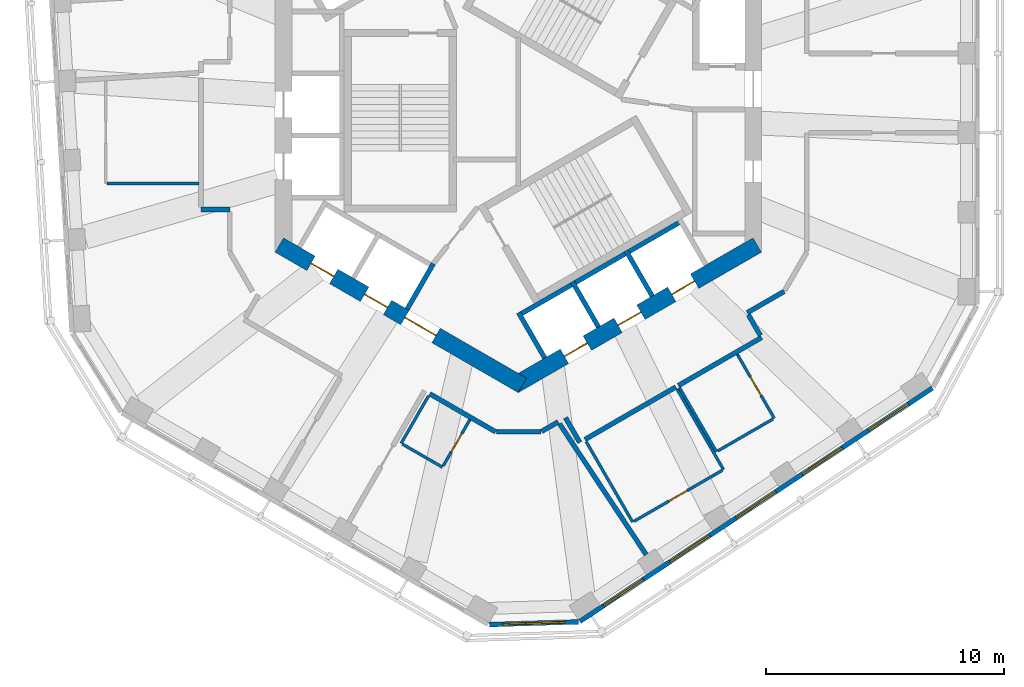
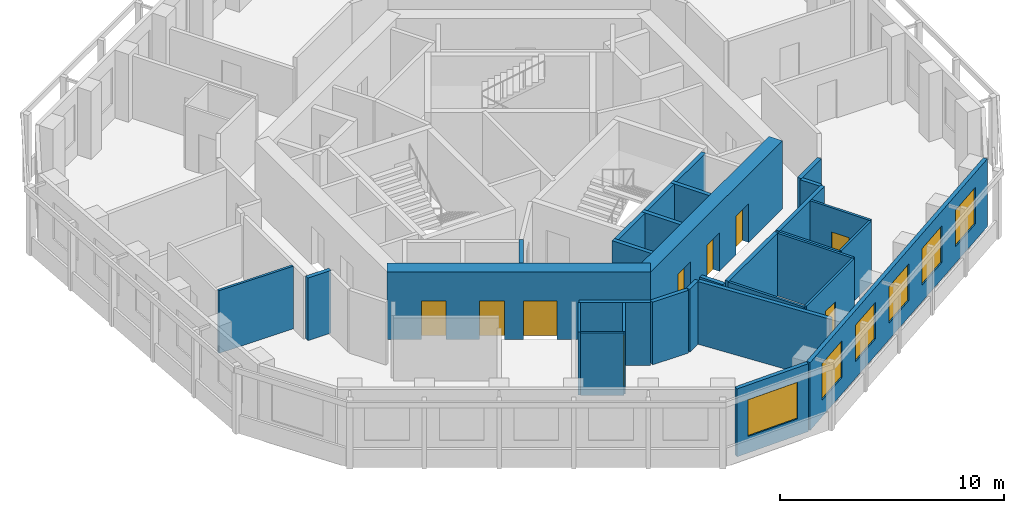
# One storey, part 4 of 10: 29 walls, 9 doors, 6 windows, 15 openings.
"""IFC4 building model written with IfcOpenShell, lengths in metres."""

from ifc_helpers import new_model, si_unit, direction, frame, frame_2d, origin, place, context, subcontext, project, spatial, rectangle, extrude, material, layer, layer_set, type_object, element, fill, save


model = new_model("IFC4")

# Units and contexts
model_context = context("Model", 3, precision=1e-05, world=origin(), true_north=direction((0.0, 1.0)))
body_context = subcontext(model_context, "Body", "Model", "MODEL_VIEW")
ifc_project = project(units=[si_unit("LENGTHUNIT", "METRE"), si_unit("AREAUNIT", "SQUARE_METRE"), si_unit("VOLUMEUNIT", "CUBIC_METRE"), si_unit("PLANEANGLEUNIT", "RADIAN"), si_unit("MASSUNIT", "GRAM", prefix="KILO")], contexts=[model_context])

# Site, building, storey
site_placement = place(None, origin())
site = spatial("IfcSite", under=ifc_project, at=site_placement, CompositionType="ELEMENT")
building_placement = place(site_placement, origin())
building = spatial("IfcBuilding", under=site, at=building_placement, Name="Vanh Sen Convention Tower", CompositionType="ELEMENT")
storey_placement = place(building_placement, frame((0.0, 0.0, 263.5)))
storey = spatial("IfcBuildingStorey", under=building, at=storey_placement, Name="L65", CompositionType="ELEMENT", Elevation=263.5)

# Walls
ifc_material_1 = material(Name="Moisture-resistant gypsum board on steel studs", Category="steel")
ifc_layer_1 = layer(ifc_material_1, 0.1201171875)
ifc_layer_set_1 = layer_set([ifc_layer_1], Name="Moisture-resistant gypsum board on steel studs")
wall_type_1 = type_object("IfcWallType", Name="Bathroom partition 120", PredefinedType="PARTITIONING", material=ifc_layer_set_1)
wall_1_placement = place(storey_placement, frame((-13.40087890625, -3.0107421875, 0.0), z_axis=(0.0, 0.0, 1.0), x_axis=(-1.0, 0.0, 0.0)))
element("IfcWall", 1, at=wall_1_placement, inside=storey, type_object=wall_type_1, Name="Bathroom partition 120", PredefinedType="PARTITIONING", context=body_context, shape_type="SweptSolid", body=[
    extrude(rectangle(XDim=3.840087890625, YDim=0.1201171875, at=frame_2d((1.919921875, 0.0))), origin(), (0.0, 0.0, 1.0), 3.419921875),
])
wall_2_placement = place(storey_placement, frame((-4.913330078125, -13.906494140625, 0.0), z_axis=(0.0, 0.0, 1.0), x_axis=(0.500031774688, 0.866007057882, 0.0)))
element("IfcWall", 2, at=wall_2_placement, inside=storey, type_object=wall_type_1, Name="Bathroom partition 120", PredefinedType="PARTITIONING", context=body_context, shape_type="SweptSolid", body=[
    extrude(rectangle(XDim=2.300048828125, YDim=0.1201171875, at=frame_2d((1.14990234375, 0.0))), origin(), (0.0, 0.0, 1.0), 3.419921875),
])
wall_3_placement = place(storey_placement, frame((-3.18115234375, -14.906494140625, 0.0), z_axis=(0.0, 0.0, 1.0), x_axis=(-0.866043088465, 0.499969367985, 0.0)))
element("IfcWall", 3, at=wall_3_placement, inside=storey, type_object=wall_type_1, Name="Bathroom partition 120", PredefinedType="PARTITIONING", context=body_context, shape_type="SweptSolid", body=[
    extrude(rectangle(XDim=1.93994140625, YDim=0.1201171875, at=frame_2d((0.969970703125, 0.0))), origin(), (0.0, 0.0, 1.0), 3.419921875),
])

# Wall, opening, door
wall_4_placement = place(storey_placement, frame((-2.03125, -12.91455078125, 0.0), z_axis=(0.0, 0.0, 1.0), x_axis=(-0.49994888933, -0.866054910533, 0.0)))
wall_4 = element("IfcWall", 4, at=wall_4_placement, inside=storey, type_object=wall_type_1, Name="Bathroom partition 120", PredefinedType="PARTITIONING", context=body_context, shape_type="SweptSolid", body=[
    extrude(rectangle(XDim=2.239990234375, YDim=0.1201171875, at=frame_2d((1.1201171875, 0.0))), origin(), (0.0, 0.0, 1.0), 3.419921875),
])
opening_1_placement = place(wall_4_placement, frame((0.669921875, 0.0, 0.0)))
opening_1 = element("IfcOpeningElement", 5, at=opening_1_placement, cuts=wall_4, Name="Opening D64113", PredefinedType="OPENING", context=body_context, shape_type="SweptSolid", body=[
    extrude(rectangle(XDim=0.89990234375, YDim=2.10009765625, at=frame_2d((0.449951171875, 1.050048828125))), frame((0.0, 0.070068359375, 0.0), z_axis=(0.0, -1.0, 0.0), x_axis=(1.0, 0.0, 0.0)), (0.0, 0.0, 1.0), 0.14013671875),
])
ifc_material_2 = material(Name="Laminate door in steel frame", Category="steel")
door_type_1 = type_object("IfcDoorType", Name="Room internal door 900", OperationType="SINGLE_SWING_LEFT", PredefinedType="DOOR", material=ifc_material_2)
door_1_placement = place(opening_1_placement, origin())
door_1 = element("IfcDoor", 6, at=door_1_placement, inside=storey, type_object=door_type_1, Name="Internal room door D64113", OperationType="SINGLE_SWING_LEFT", OverallHeight=2.10009765625, OverallWidth=0.89990234375, PredefinedType="DOOR", context=body_context, shape_type="SweptSolid", body=[
    extrude(rectangle(XDim=0.89990234375, YDim=2.10009765625, at=frame_2d((0.449951171875, 1.050048828125))), frame((0.0, 0.02490234375, 0.0), z_axis=(0.0, -1.0, 0.0), x_axis=(1.0, 0.0, 0.0)), (0.0, 0.0, 1.0), 0.050048828125),
])
fill(opening_1, door_1)

# Walls
wall_5_placement = place(storey_placement, frame((4.7958984375, -17.20849609375, 0.0), z_axis=(0.0, 0.0, 1.0), x_axis=(-0.500043961785, 0.866000020948, 0.0)))
element("IfcWall", 7, at=wall_5_placement, inside=storey, type_object=wall_type_1, Name="Bathroom partition 120", PredefinedType="PARTITIONING", context=body_context, shape_type="SweptSolid", body=[
    extrude(rectangle(XDim=3.900146484375, YDim=0.1201171875, at=frame_2d((1.9501953125, 0.0))), origin(), (0.0, 0.0, 1.0), 3.419921875),
])
wall_6_placement = place(storey_placement, frame((6.65625, -11.631103515625, 0.0), z_axis=(0.0, 0.0, 1.0), x_axis=(0.499997012787, -0.866027128446, 0.0)))
element("IfcWall", 8, at=wall_6_placement, inside=storey, type_object=wall_type_1, Name="Bathroom partition 120", PredefinedType="PARTITIONING", context=body_context, shape_type="SweptSolid", body=[
    extrude(rectangle(XDim=3.89990234375, YDim=0.1201171875, at=frame_2d((1.949951171875, 0.0))), origin(), (0.0, 0.0, 1.0), 3.419921875),
])
wall_7_placement = place(storey_placement, frame((8.310302734375, -14.255859375, 0.0), z_axis=(0.0, 0.0, 1.0), x_axis=(-0.49999285859, 0.86602952684, 0.0)))
element("IfcWall", 9, at=wall_7_placement, inside=storey, type_object=wall_type_1, Name="Bathroom partition 120", PredefinedType="PARTITIONING", context=body_context, shape_type="SweptSolid", body=[
    extrude(rectangle(XDim=3.10009765625, YDim=0.1201171875, at=frame_2d((1.550048828125, 0.0))), origin(), (0.0, 0.0, 1.0), 3.419921875),
])

# Wall, opening, door
wall_8_placement = place(storey_placement, frame((8.55419921875, -15.03857421875, 0.0), z_axis=(0.0, 0.0, 1.0), x_axis=(-0.865994635417, -0.500053288589, 0.0)))
wall_8 = element("IfcWall", 10, at=wall_8_placement, inside=storey, type_object=wall_type_1, Name="Bathroom partition 120", PredefinedType="PARTITIONING", context=body_context, shape_type="SweptSolid", body=[
    extrude(rectangle(XDim=4.27978515625, YDim=0.1201171875, at=frame_2d((2.139892578125, 0.0))), origin(), (0.0, 0.0, 1.0), 3.419921875),
])
opening_2_placement = place(wall_8_placement, frame((1.68994140625, 0.0, 0.0)))
opening_2 = element("IfcOpeningElement", 11, at=opening_2_placement, cuts=wall_8, Name="Opening D64115", PredefinedType="OPENING", context=body_context, shape_type="SweptSolid", body=[
    extrude(rectangle(XDim=0.89990234375, YDim=2.10009765625, at=frame_2d((0.449951171875, 1.050048828125))), frame((0.0, 0.070068359375, 0.0), z_axis=(0.0, -1.0, 0.0), x_axis=(1.0, 0.0, 0.0)), (0.0, 0.0, 1.0), 0.14013671875),
])
door_2_placement = place(opening_2_placement, origin())
door_2 = element("IfcDoor", 12, at=door_2_placement, inside=storey, type_object=door_type_1, Name="Internal room door D64115", OperationType="SINGLE_SWING_LEFT", OverallHeight=2.10009765625, OverallWidth=0.89990234375, PredefinedType="DOOR", context=body_context, shape_type="SweptSolid", body=[
    extrude(rectangle(XDim=0.89990234375, YDim=2.10009765625, at=frame_2d((0.449951171875, 1.050048828125))), frame((0.0, 0.02490234375, 0.0), z_axis=(0.0, -1.0, 0.0), x_axis=(1.0, 0.0, 0.0)), (0.0, 0.0, 1.0), 0.050048828125),
])
fill(opening_2, door_2)

wall_9_placement = place(storey_placement, frame((9.18505859375, -10.171142578125, 0.0), z_axis=(0.0, 0.0, 1.0), x_axis=(0.500026960575, -0.86600983753, 0.0)))
wall_9 = element("IfcWall", 13, at=wall_9_placement, inside=storey, type_object=wall_type_1, Name="Bathroom partition 120", PredefinedType="PARTITIONING", context=body_context, shape_type="SweptSolid", body=[
    extrude(rectangle(XDim=3.099853515625, YDim=0.1201171875, at=frame_2d((1.5498046875, 0.0))), origin(), (0.0, 0.0, 1.0), 3.419921875),
])
opening_3_placement = place(wall_9_placement, frame((1.10009765625, 0.0, 0.0)))
opening_3 = element("IfcOpeningElement", 14, at=opening_3_placement, cuts=wall_9, Name="Opening D64116", PredefinedType="OPENING", context=body_context, shape_type="SweptSolid", body=[
    extrude(rectangle(XDim=0.89990234375, YDim=2.10009765625, at=frame_2d((0.449951171875, 1.050048828125))), frame((0.0, 0.070068359375, 0.0), z_axis=(0.0, -1.0, 0.0), x_axis=(1.0, 0.0, 0.0)), (0.0, 0.0, 1.0), 0.14013671875),
])
door_3_placement = place(opening_3_placement, origin())
door_3 = element("IfcDoor", 15, at=door_3_placement, inside=storey, type_object=door_type_1, Name="Internal room door D64116", OperationType="SINGLE_SWING_LEFT", OverallHeight=2.10009765625, OverallWidth=0.89990234375, PredefinedType="DOOR", context=body_context, shape_type="SweptSolid", body=[
    extrude(rectangle(XDim=0.89990234375, YDim=2.10009765625, at=frame_2d((0.449951171875, 1.050048828125))), frame((0.0, 0.02490234375, 0.0), z_axis=(0.0, -1.0, 0.0), x_axis=(1.0, 0.0, 0.0)), (0.0, 0.0, 1.0), 0.050048828125),
])
fill(opening_3, door_3)

# Wall
wall_10_placement = place(storey_placement, frame((10.68310546875, -12.8857421875, 0.0), z_axis=(0.0, 0.0, 1.0), x_axis=(-0.86599746015, -0.500048396672, 0.0)))
element("IfcWall", 16, at=wall_10_placement, inside=storey, type_object=wall_type_1, Name="Bathroom partition 120", PredefinedType="PARTITIONING", context=body_context, shape_type="SweptSolid", body=[
    extrude(rectangle(XDim=2.679931640625, YDim=0.1201171875, at=frame_2d((1.33984375, 0.0))), origin(), (0.0, 0.0, 1.0), 3.419921875),
])

# Wall, openings, doors
ifc_material_3 = material(Name="Concrete C60/75", Category="concrete")
ifc_layer_2 = layer(ifc_material_3, 0.699951171875)
ifc_layer_set_2 = layer_set([ifc_layer_2], Name="Concrete C60/75")
wall_type_2 = type_object("IfcWallType", Name="Core outer wall 700 C60/75", PredefinedType="SHEAR", material=ifc_layer_set_2)
wall_11_placement = place(storey_placement, frame((-10.02490234375, -5.5859375, 0.0), z_axis=(0.0, 0.0, 1.0), x_axis=(0.866026453023, -0.499998182661, 0.0)))
wall_11 = element("IfcWall", 17, at=wall_11_placement, inside=storey, type_object=wall_type_2, Name="Core wall face SW L65", PredefinedType="SHEAR", context=body_context, shape_type="SweptSolid", body=[
    extrude(rectangle(XDim=11.77783203125, YDim=0.699951171875, at=frame_2d((5.888916015625, 0.0))), origin(), (0.0, 0.0, 1.0), 3.699951171875),
])
opening_4_placement = place(wall_11_placement, frame((6.089111328125, 0.0, 0.0)))
opening_4 = element("IfcOpeningElement", 18, at=opening_4_placement, cuts=wall_11, Name="Opening D64003", PredefinedType="OPENING", context=body_context, shape_type="SweptSolid", body=[
    extrude(rectangle(XDim=1.5, YDim=2.10009765625, at=frame_2d((0.75, 1.050048828125))), frame((0.0, 0.35986328125, 0.0), z_axis=(0.0, -1.0, 0.0), x_axis=(1.0, 0.0, 0.0)), (0.0, 0.0, 1.0), 0.719970703125),
])
opening_5_placement = place(wall_11_placement, frame((1.5390625, 0.0, 0.0)))
opening_5 = element("IfcOpeningElement", 19, at=opening_5_placement, cuts=wall_11, Name="Opening LD-HR3", PredefinedType="OPENING", context=body_context, shape_type="SweptSolid", body=[
    extrude(rectangle(XDim=1.10009765625, YDim=2.10009765625, at=frame_2d((0.550048828125, 1.050048828125))), frame((0.0, 0.35986328125, 0.0), z_axis=(0.0, -1.0, 0.0), x_axis=(1.0, 0.0, 0.0)), (0.0, 0.0, 1.0), 0.719970703125),
])
opening_6_placement = place(wall_11_placement, frame((4.138916015625, 0.0, 0.0)))
opening_6 = element("IfcOpeningElement", 20, at=opening_6_placement, cuts=wall_11, Name="Opening LD-HR4", PredefinedType="OPENING", context=body_context, shape_type="SweptSolid", body=[
    extrude(rectangle(XDim=1.10009765625, YDim=2.10009765625, at=frame_2d((0.550048828125, 1.050048828125))), frame((0.0, 0.35986328125, 0.0), z_axis=(0.0, -1.0, 0.0), x_axis=(1.0, 0.0, 0.0)), (0.0, 0.0, 1.0), 0.719970703125),
])
ifc_material_4 = material(Name="Stainless steel", Category="steel")
door_type_2 = type_object("IfcDoorType", Name="Lift landing door 1100", OperationType="DOUBLE_DOOR_SLIDING", PredefinedType="DOOR", material=ifc_material_4)
door_4_placement = place(opening_5_placement, origin())
door_4 = element("IfcDoor", 21, at=door_4_placement, inside=storey, type_object=door_type_2, Name="Lift HR3 landing door LD-HR3", OperationType="DOUBLE_DOOR_SLIDING", OverallHeight=2.10009765625, OverallWidth=1.10009765625, PredefinedType="DOOR", context=body_context, shape_type="SweptSolid", body=[
    extrude(rectangle(XDim=1.10009765625, YDim=2.10009765625, at=frame_2d((0.550048828125, 1.050048828125))), frame((0.0, 0.02490234375, 0.0), z_axis=(0.0, -1.0, 0.0), x_axis=(1.0, 0.0, 0.0)), (0.0, 0.0, 1.0), 0.050048828125),
])
fill(opening_5, door_4)
door_5_placement = place(opening_6_placement, origin())
door_5 = element("IfcDoor", 22, at=door_5_placement, inside=storey, type_object=door_type_2, Name="Lift HR4 landing door LD-HR4", OperationType="DOUBLE_DOOR_SLIDING", OverallHeight=2.10009765625, OverallWidth=1.10009765625, PredefinedType="DOOR", context=body_context, shape_type="SweptSolid", body=[
    extrude(rectangle(XDim=1.10009765625, YDim=2.10009765625, at=frame_2d((0.550048828125, 1.050048828125))), frame((0.0, 0.02490234375, 0.0), z_axis=(0.0, -1.0, 0.0), x_axis=(1.0, 0.0, 0.0)), (0.0, 0.0, 1.0), 0.050048828125),
])
fill(opening_6, door_5)
ifc_material_5 = material(Name="Steel S355", Category="steel")
door_type_3 = type_object("IfcDoorType", Name="Stair lobby door 1500", OperationType="DOUBLE_DOOR_SINGLE_SWING", PredefinedType="DOOR", material=ifc_material_5)
door_6_placement = place(opening_4_placement, origin())
door_6 = element("IfcDoor", 23, at=door_6_placement, inside=storey, type_object=door_type_3, Name="Stair lobby door D64003", OperationType="DOUBLE_DOOR_SINGLE_SWING", OverallHeight=2.10009765625, OverallWidth=1.5, PredefinedType="DOOR", context=body_context, shape_type="SweptSolid", body=[
    extrude(rectangle(XDim=1.5, YDim=2.10009765625, at=frame_2d((0.75, 1.050048828125))), frame((0.0, 0.02490234375, 0.0), z_axis=(0.0, -1.0, 0.0), x_axis=(1.0, 0.0, 0.0)), (0.0, 0.0, 1.0), 0.050048828125),
])
fill(opening_4, door_6)

wall_12_placement = place(storey_placement, frame((-0.175048828125, -11.474853515625, 0.0), z_axis=(0.0, 0.0, 1.0), x_axis=(0.866026453023, 0.499998182661, 0.0)))
wall_12 = element("IfcWall", 24, at=wall_12_placement, inside=storey, type_object=wall_type_2, Name="Core wall face SE L65", PredefinedType="SHEAR", context=body_context, shape_type="SweptSolid", body=[
    extrude(rectangle(XDim=11.77783203125, YDim=0.699951171875, at=frame_2d((5.888916015625, 0.0))), origin(), (0.0, 0.0, 1.0), 3.699951171875),
])
opening_7_placement = place(wall_12_placement, frame((2.43896484375, 0.0, 0.0)))
opening_7 = element("IfcOpeningElement", 25, at=opening_7_placement, cuts=wall_12, Name="Opening LD-HR5", PredefinedType="OPENING", context=body_context, shape_type="SweptSolid", body=[
    extrude(rectangle(XDim=1.10009765625, YDim=2.10009765625, at=frame_2d((0.550048828125, 1.050048828125))), frame((0.0, 0.35986328125, 0.0), z_axis=(0.0, -1.0, 0.0), x_axis=(1.0, 0.0, 0.0)), (0.0, 0.0, 1.0), 0.719970703125),
])
opening_8_placement = place(wall_12_placement, frame((5.0390625, 0.0, 0.0)))
opening_8 = element("IfcOpeningElement", 26, at=opening_8_placement, cuts=wall_12, Name="Opening LD-HR6", PredefinedType="OPENING", context=body_context, shape_type="SweptSolid", body=[
    extrude(rectangle(XDim=1.10009765625, YDim=2.10009765625, at=frame_2d((0.550048828125, 1.050048828125))), frame((0.0, 0.35986328125, 0.0), z_axis=(0.0, -1.0, 0.0), x_axis=(1.0, 0.0, 0.0)), (0.0, 0.0, 1.0), 0.719970703125),
])
opening_9_placement = place(wall_12_placement, frame((7.638916015625, 0.0, 0.0)))
opening_9 = element("IfcOpeningElement", 27, at=opening_9_placement, cuts=wall_12, Name="Opening LD-SV1", PredefinedType="OPENING", context=body_context, shape_type="SweptSolid", body=[
    extrude(rectangle(XDim=1.10009765625, YDim=2.10009765625, at=frame_2d((0.550048828125, 1.050048828125))), frame((0.0, 0.35986328125, 0.0), z_axis=(0.0, -1.0, 0.0), x_axis=(1.0, 0.0, 0.0)), (0.0, 0.0, 1.0), 0.719970703125),
])
door_7_placement = place(opening_7_placement, origin())
door_7 = element("IfcDoor", 28, at=door_7_placement, inside=storey, type_object=door_type_2, Name="Lift HR5 landing door LD-HR5", OperationType="DOUBLE_DOOR_SLIDING", OverallHeight=2.10009765625, OverallWidth=1.10009765625, PredefinedType="DOOR", context=body_context, shape_type="SweptSolid", body=[
    extrude(rectangle(XDim=1.10009765625, YDim=2.10009765625, at=frame_2d((0.550048828125, 1.050048828125))), frame((0.0, 0.02490234375, 0.0), z_axis=(0.0, -1.0, 0.0), x_axis=(1.0, 0.0, 0.0)), (0.0, 0.0, 1.0), 0.050048828125),
])
fill(opening_7, door_7)
door_8_placement = place(opening_8_placement, origin())
door_8 = element("IfcDoor", 29, at=door_8_placement, inside=storey, type_object=door_type_2, Name="Lift HR6 landing door LD-HR6", OperationType="DOUBLE_DOOR_SLIDING", OverallHeight=2.10009765625, OverallWidth=1.10009765625, PredefinedType="DOOR", context=body_context, shape_type="SweptSolid", body=[
    extrude(rectangle(XDim=1.10009765625, YDim=2.10009765625, at=frame_2d((0.550048828125, 1.050048828125))), frame((0.0, 0.02490234375, 0.0), z_axis=(0.0, -1.0, 0.0), x_axis=(1.0, 0.0, 0.0)), (0.0, 0.0, 1.0), 0.050048828125),
])
fill(opening_8, door_8)
door_9_placement = place(opening_9_placement, origin())
door_9 = element("IfcDoor", 30, at=door_9_placement, inside=storey, type_object=door_type_2, Name="Lift SV1 landing door LD-SV1", OperationType="DOUBLE_DOOR_SLIDING", OverallHeight=2.10009765625, OverallWidth=1.10009765625, PredefinedType="DOOR", context=body_context, shape_type="SweptSolid", body=[
    extrude(rectangle(XDim=1.10009765625, YDim=2.10009765625, at=frame_2d((0.550048828125, 1.050048828125))), frame((0.0, 0.02490234375, 0.0), z_axis=(0.0, -1.0, 0.0), x_axis=(1.0, 0.0, 0.0)), (0.0, 0.0, 1.0), 0.050048828125),
])
fill(opening_9, door_9)

# Walls
ifc_material_6 = material(Name="Gypsum board on steel studs with mineral wool", Category="steel")
ifc_layer_3 = layer(ifc_material_6, 0.199951171875)
ifc_layer_set_3 = layer_set([ifc_layer_3], Name="Gypsum board on steel studs with mineral wool")
wall_type_3 = type_object("IfcWallType", Name="Corridor partition wall 200", PredefinedType="PARTITIONING", material=ifc_layer_set_3)
wall_13_placement = place(storey_placement, frame((-13.301025390625, -4.10107421875, 0.0), z_axis=(0.0, 0.0, 1.0), x_axis=(1.0, 0.0, 0.0)))
element("IfcWall", 31, at=wall_13_placement, inside=storey, type_object=wall_type_3, Name="Corridor partition wall 200", PredefinedType="PARTITIONING", context=body_context, shape_type="SweptSolid", body=[
    extrude(rectangle(XDim=1.200927734375, YDim=0.199951171875, at=frame_2d((0.6005859375, 0.0))), origin(), (0.0, 0.0, 1.0), 3.419921875),
])
wall_14_placement = place(storey_placement, frame((-3.71337890625, -11.827880859375, 0.0), z_axis=(0.0, 0.0, 1.0), x_axis=(0.866026321388, -0.499998410661, 0.0)))
element("IfcWall", 32, at=wall_14_placement, inside=storey, type_object=wall_type_3, Name="Corridor partition wall 200", PredefinedType="PARTITIONING", context=body_context, shape_type="SweptSolid", body=[
    extrude(rectangle(XDim=3.19091796875, YDim=0.199951171875, at=frame_2d((1.595458984375, 0.0))), origin(), (0.0, 0.0, 1.0), 3.419921875),
])
wall_15_placement = place(storey_placement, frame((-0.909912109375, -13.42333984375, 0.0), z_axis=(0.0, 0.0, 1.0), x_axis=(1.0, 0.0, 0.0)))
element("IfcWall", 33, at=wall_15_placement, inside=storey, type_object=wall_type_3, Name="Corridor partition wall 200", PredefinedType="PARTITIONING", context=body_context, shape_type="SweptSolid", body=[
    extrude(rectangle(XDim=1.85986328125, YDim=0.199951171875, at=frame_2d((0.929931640625, 0.0))), origin(), (0.0, 0.0, 1.0), 3.419921875),
])
wall_16_placement = place(storey_placement, frame((0.984619140625, -13.4033203125, 0.0), z_axis=(0.0, 0.0, 1.0), x_axis=(0.866032814021, 0.499987164874, 0.0)))
element("IfcWall", 34, at=wall_16_placement, inside=storey, type_object=wall_type_3, Name="Corridor partition wall 200", PredefinedType="PARTITIONING", context=body_context, shape_type="SweptSolid", body=[
    extrude(rectangle(XDim=0.79833984375, YDim=0.199951171875, at=frame_2d((0.399169921875, 0.0))), origin(), (0.0, 0.0, 1.0), 3.419921875),
])
wall_17_placement = place(storey_placement, frame((1.978759765625, -12.829345703125, 0.0), z_axis=(0.0, 0.0, 1.0), x_axis=(0.500074377092, -0.865982457891, 0.0)))
element("IfcWall", 35, at=wall_17_placement, inside=storey, type_object=wall_type_3, Name="Corridor partition wall 200", PredefinedType="PARTITIONING", context=body_context, shape_type="SweptSolid", body=[
    extrude(rectangle(XDim=1.200927734375, YDim=0.199951171875, at=frame_2d((0.6005859375, 0.0))), origin(), (0.0, 0.0, 1.0), 3.419921875),
])
wall_18_placement = place(storey_placement, frame((2.7958984375, -13.744384765625, 0.0), z_axis=(0.0, 0.0, 1.0), x_axis=(0.866018331238, 0.50001224981, 0.0)))
element("IfcWall", 36, at=wall_18_placement, inside=storey, type_object=wall_type_3, Name="Corridor partition wall 200", PredefinedType="PARTITIONING", context=body_context, shape_type="SweptSolid", body=[
    extrude(rectangle(XDim=4.39990234375, YDim=0.199951171875, at=frame_2d((2.199951171875, 0.0))), origin(), (0.0, 0.0, 1.0), 3.419921875),
])
wall_19_placement = place(storey_placement, frame((6.710205078125, -11.484619140625, 0.0), z_axis=(0.0, 0.0, 1.0), x_axis=(0.866021232452, 0.500007224889, 0.0)))
element("IfcWall", 37, at=wall_19_placement, inside=storey, type_object=wall_type_3, Name="Corridor partition wall 200", PredefinedType="PARTITIONING", context=body_context, shape_type="SweptSolid", body=[
    extrude(rectangle(XDim=4.0322265625, YDim=0.199951171875, at=frame_2d((2.01611328125, 0.0))), origin(), (0.0, 0.0, 1.0), 3.419921875),
])
wall_20_placement = place(storey_placement, frame((9.6015625, -8.428466796875, 0.0), z_axis=(0.0, 0.0, 1.0), x_axis=(0.865999114786, 0.500045531117, 0.0)))
element("IfcWall", 38, at=wall_20_placement, inside=storey, type_object=wall_type_3, Name="Corridor partition wall 200", PredefinedType="PARTITIONING", context=body_context, shape_type="SweptSolid", body=[
    extrude(rectangle(XDim=1.787841796875, YDim=0.199951171875, at=frame_2d((0.89404296875, 0.0))), origin(), (0.0, 0.0, 1.0), 3.419921875),
])
wall_21_placement = place(storey_placement, frame((10.152099609375, -9.3818359375, 0.0), z_axis=(0.0, 0.0, 1.0), x_axis=(-0.499968756647, 0.866043441391, 0.0)))
element("IfcWall", 39, at=wall_21_placement, inside=storey, type_object=wall_type_3, Name="Corridor partition wall 200", PredefinedType="PARTITIONING", context=body_context, shape_type="SweptSolid", body=[
    extrude(rectangle(XDim=1.0009765625, YDim=0.199951171875, at=frame_2d((0.50048828125, 0.0))), origin(), (0.0, 0.0, 1.0), 3.419921875),
])

# Wall, opening, window
ifc_material_7 = material(Name="Insulated lightweight infill wall")
ifc_layer_4 = layer(ifc_material_7, 0.199951171875)
ifc_layer_set_4 = layer_set([ifc_layer_4], Name="Insulated lightweight infill wall")
wall_type_4 = type_object("IfcWallType", Name="External wall 200", PredefinedType="STANDARD", material=ifc_layer_set_4)
wall_22_placement = place(storey_placement, frame((-1.21728515625, -21.508056640625, 0.0), z_axis=(0.0, 0.0, 1.0), x_axis=(0.99953295295, 0.030559384285, 0.0)))
wall_22 = element("IfcWall", 40, at=wall_22_placement, inside=storey, type_object=wall_type_4, Name="External wall CH5 L65", PredefinedType="STANDARD", context=body_context, shape_type="SweptSolid", body=[
    extrude(rectangle(XDim=3.746826171875, YDim=0.199951171875, at=frame_2d((1.87353515625, 0.0))), origin(), (0.0, 0.0, 1.0), 3.699951171875),
])
opening_10_placement = place(wall_22_placement, frame((0.573486328125, 0.0, 0.89990234375)))
opening_10 = element("IfcOpeningElement", 41, at=opening_10_placement, cuts=wall_22, Name="Opening WO6-CH51", PredefinedType="OPENING", context=body_context, shape_type="SweptSolid", body=[
    extrude(rectangle(XDim=2.60009765625, YDim=2.0, at=frame_2d((1.300048828125, 1.0))), frame((0.0, 0.10986328125, 0.0), z_axis=(0.0, -1.0, 0.0), x_axis=(1.0, 0.0, 0.0)), (0.0, 0.0, 1.0), 0.219970703125),
])
ifc_material_8 = material(Name="Aluminium frame with clear low-emissivity glass", Category="aluminium")
window_type_1 = type_object("IfcWindowType", Name="Office window 2600 x 2000", PartitioningType="SINGLE_PANEL", PredefinedType="WINDOW", material=ifc_material_8)
window_1_placement = place(opening_10_placement, origin())
window_1 = element("IfcWindow", 42, at=window_1_placement, inside=storey, type_object=window_type_1, Name="Window WO6-CH51", OverallHeight=2.0, OverallWidth=2.60009765625, PartitioningType="SINGLE_PANEL", PredefinedType="WINDOW", context=body_context, shape_type="SweptSolid", body=[
    extrude(rectangle(XDim=2.60009765625, YDim=2.0, at=frame_2d((1.300048828125, 1.0))), frame((0.0, 0.030029296875, 0.0), z_axis=(0.0, -1.0, 0.0), x_axis=(1.0, 0.0, 0.0)), (0.0, 0.0, 1.0), 0.06005859375),
])
fill(opening_10, window_1)

# Wall, openings, windows
wall_23_placement = place(storey_placement, frame((2.580078125, -21.376953125, 0.0), z_axis=(0.0, 0.0, 1.0), x_axis=(0.833888592176, 0.551932800112, 0.0)))
wall_23 = element("IfcWall", 43, at=wall_23_placement, inside=storey, type_object=wall_type_4, Name="External wall SE L65", PredefinedType="STANDARD", context=body_context, shape_type="SweptSolid", body=[
    extrude(rectangle(XDim=17.7314453125, YDim=0.199951171875, at=frame_2d((8.86572265625, 0.0))), origin(), (0.0, 0.0, 1.0), 3.699951171875),
])
opening_11_placement = place(wall_23_placement, frame((1.20166015625, 0.0, 0.89990234375)))
opening_11 = element("IfcOpeningElement", 44, at=opening_11_placement, cuts=wall_23, Name="Opening WO5-SE1", PredefinedType="OPENING", context=body_context, shape_type="SweptSolid", body=[
    extrude(rectangle(XDim=2.0, YDim=2.0, at=frame_2d((1.0, 1.0))), frame((0.0, 0.10986328125, 0.0), z_axis=(0.0, -1.0, 0.0), x_axis=(1.0, 0.0, 0.0)), (0.0, 0.0, 1.0), 0.219970703125),
])
opening_12_placement = place(wall_23_placement, frame((4.533203125, 0.0, 0.89990234375)))
opening_12 = element("IfcOpeningElement", 45, at=opening_12_placement, cuts=wall_23, Name="Opening WO5-SE2", PredefinedType="OPENING", context=body_context, shape_type="SweptSolid", body=[
    extrude(rectangle(XDim=2.0, YDim=2.0, at=frame_2d((1.0, 1.0))), frame((0.0, 0.10986328125, 0.0), z_axis=(0.0, -1.0, 0.0), x_axis=(1.0, 0.0, 0.0)), (0.0, 0.0, 1.0), 0.219970703125),
])
opening_13_placement = place(wall_23_placement, frame((7.864990234375, 0.0, 0.89990234375)))
opening_13 = element("IfcOpeningElement", 46, at=opening_13_placement, cuts=wall_23, Name="Opening WO5-SE3", PredefinedType="OPENING", context=body_context, shape_type="SweptSolid", body=[
    extrude(rectangle(XDim=2.0, YDim=2.0, at=frame_2d((1.0, 1.0))), frame((0.0, 0.10986328125, 0.0), z_axis=(0.0, -1.0, 0.0), x_axis=(1.0, 0.0, 0.0)), (0.0, 0.0, 1.0), 0.219970703125),
])
opening_14_placement = place(wall_23_placement, frame((11.196533203125, 0.0, 0.89990234375)))
opening_14 = element("IfcOpeningElement", 47, at=opening_14_placement, cuts=wall_23, Name="Opening WO5-SE4", PredefinedType="OPENING", context=body_context, shape_type="SweptSolid", body=[
    extrude(rectangle(XDim=2.0, YDim=2.0, at=frame_2d((1.0, 1.0))), frame((0.0, 0.10986328125, 0.0), z_axis=(0.0, -1.0, 0.0), x_axis=(1.0, 0.0, 0.0)), (0.0, 0.0, 1.0), 0.219970703125),
])
opening_15_placement = place(wall_23_placement, frame((14.528076171875, 0.0, 0.89990234375)))
opening_15 = element("IfcOpeningElement", 48, at=opening_15_placement, cuts=wall_23, Name="Opening WO5-SE5", PredefinedType="OPENING", context=body_context, shape_type="SweptSolid", body=[
    extrude(rectangle(XDim=2.0, YDim=2.0, at=frame_2d((1.0, 1.0))), frame((0.0, 0.10986328125, 0.0), z_axis=(0.0, -1.0, 0.0), x_axis=(1.0, 0.0, 0.0)), (0.0, 0.0, 1.0), 0.219970703125),
])
window_type_2 = type_object("IfcWindowType", Name="Office window 2000 x 2000", PartitioningType="SINGLE_PANEL", PredefinedType="WINDOW", material=ifc_material_8)
window_2_placement = place(opening_11_placement, origin())
window_2 = element("IfcWindow", 49, at=window_2_placement, inside=storey, type_object=window_type_2, Name="Window WO5-SE1", OverallHeight=2.0, OverallWidth=2.0, PartitioningType="SINGLE_PANEL", PredefinedType="WINDOW", context=body_context, shape_type="SweptSolid", body=[
    extrude(rectangle(XDim=2.0, YDim=2.0, at=frame_2d((1.0, 1.0))), frame((0.0, 0.030029296875, 0.0), z_axis=(0.0, -1.0, 0.0), x_axis=(1.0, 0.0, 0.0)), (0.0, 0.0, 1.0), 0.06005859375),
])
fill(opening_11, window_2)
window_3_placement = place(opening_12_placement, origin())
window_3 = element("IfcWindow", 50, at=window_3_placement, inside=storey, type_object=window_type_2, Name="Window WO5-SE2", OverallHeight=2.0, OverallWidth=2.0, PartitioningType="SINGLE_PANEL", PredefinedType="WINDOW", context=body_context, shape_type="SweptSolid", body=[
    extrude(rectangle(XDim=2.0, YDim=2.0, at=frame_2d((1.0, 1.0))), frame((0.0, 0.030029296875, 0.0), z_axis=(0.0, -1.0, 0.0), x_axis=(1.0, 0.0, 0.0)), (0.0, 0.0, 1.0), 0.06005859375),
])
fill(opening_12, window_3)
window_4_placement = place(opening_13_placement, origin())
window_4 = element("IfcWindow", 51, at=window_4_placement, inside=storey, type_object=window_type_2, Name="Window WO5-SE3", OverallHeight=2.0, OverallWidth=2.0, PartitioningType="SINGLE_PANEL", PredefinedType="WINDOW", context=body_context, shape_type="SweptSolid", body=[
    extrude(rectangle(XDim=2.0, YDim=2.0, at=frame_2d((1.0, 1.0))), frame((0.0, 0.030029296875, 0.0), z_axis=(0.0, -1.0, 0.0), x_axis=(1.0, 0.0, 0.0)), (0.0, 0.0, 1.0), 0.06005859375),
])
fill(opening_13, window_4)
window_5_placement = place(opening_14_placement, origin())
window_5 = element("IfcWindow", 52, at=window_5_placement, inside=storey, type_object=window_type_2, Name="Window WO5-SE4", OverallHeight=2.0, OverallWidth=2.0, PartitioningType="SINGLE_PANEL", PredefinedType="WINDOW", context=body_context, shape_type="SweptSolid", body=[
    extrude(rectangle(XDim=2.0, YDim=2.0, at=frame_2d((1.0, 1.0))), frame((0.0, 0.030029296875, 0.0), z_axis=(0.0, -1.0, 0.0), x_axis=(1.0, 0.0, 0.0)), (0.0, 0.0, 1.0), 0.06005859375),
])
fill(opening_14, window_5)
window_6_placement = place(opening_15_placement, origin())
window_6 = element("IfcWindow", 53, at=window_6_placement, inside=storey, type_object=window_type_2, Name="Window WO5-SE5", OverallHeight=2.0, OverallWidth=2.0, PartitioningType="SINGLE_PANEL", PredefinedType="WINDOW", context=body_context, shape_type="SweptSolid", body=[
    extrude(rectangle(XDim=2.0, YDim=2.0, at=frame_2d((1.0, 1.0))), frame((0.0, 0.030029296875, 0.0), z_axis=(0.0, -1.0, 0.0), x_axis=(1.0, 0.0, 0.0)), (0.0, 0.0, 1.0), 0.06005859375),
])
fill(opening_15, window_6)

# Walls
ifc_material_9 = material(Name="Concrete C40/50", Category="concrete")
ifc_layer_5 = layer(ifc_material_9, 0.199951171875)
ifc_layer_set_5 = layer_set([ifc_layer_5], Name="Concrete C40/50")
wall_type_5 = type_object("IfcWallType", Name="Lift shaft wall 200", PredefinedType="PARTITIONING", material=ifc_layer_set_5)
wall_24_placement = place(storey_placement, frame((-3.5634765625, -6.3720703125, 0.0), z_axis=(0.0, 0.0, 1.0), x_axis=(-0.499994660107, -0.866028486751, 0.0)))
element("IfcWall", 54, at=wall_24_placement, inside=storey, type_object=wall_type_5, Name="Lift shaft wall L65", PredefinedType="PARTITIONING", context=body_context, shape_type="SweptSolid", body=[
    extrude(rectangle(XDim=2.19970703125, YDim=0.199951171875, at=frame_2d((1.099853515625, 0.0))), origin(), (0.0, 0.0, 1.0), 3.419921875),
])
wall_25_placement = place(storey_placement, frame((-0.02392578125, -8.55859375, 0.0), z_axis=(0.0, 0.0, 1.0), x_axis=(0.866026010844, 0.49999894854, 0.0)))
element("IfcWall", 55, at=wall_25_placement, inside=storey, type_object=wall_type_5, Name="Lift shaft wall L65", PredefinedType="PARTITIONING", context=body_context, shape_type="SweptSolid", body=[
    extrude(rectangle(XDim=8.0, YDim=0.199951171875, at=frame_2d((4.0, 0.0))), origin(), (0.0, 0.0, 1.0), 3.419921875),
])
for number, where, z_axis, x_axis, name in (
    (56, (0.0126953125, -8.422119140625, 0.0), (0.0, 0.0, 1.0), (0.500077893725, -0.86598042715, 0.0), "Lift shaft wall L65"),
    (57, (2.264404296875, -7.1220703125, 0.0), (0.0, 0.0, 1.0), (0.500077893725, -0.86598042715, 0.0), "Lift shaft wall L65"),
    (58, (4.51611328125, -5.822021484375, 0.0), (0.0, 0.0, 1.0), (0.499946605688, -0.86605622881, 0.0), "Lift shaft wall L65"),
):
    element("IfcWall", number, at=place(storey_placement, frame(where, z_axis=z_axis, x_axis=x_axis)), inside=storey, type_object=wall_type_5, Name=name, PredefinedType="PARTITIONING", context=body_context, shape_type="SweptSolid", body=[
        extrude(rectangle(XDim=2.199951171875, YDim=0.199951171875, at=frame_2d((1.10009765625, 0.0))), origin(), (0.0, 0.0, 1.0), 3.419921875),
    ])
ifc_layer_6 = layer(ifc_material_6, 0.199951171875)
ifc_layer_set_6 = layer_set([ifc_layer_6], Name="Gypsum board on steel studs with mineral wool")
wall_type_6 = type_object("IfcWallType", Name="Tenant suite wall 200", PredefinedType="PARTITIONING", material=ifc_layer_set_6)
wall_26_placement = place(storey_placement, frame((5.363525390625, -18.5751953125, 0.0), z_axis=(0.0, 0.0, 1.0), x_axis=(-0.55195757761, 0.833872191957, 0.0)))
element("IfcWall", 59, at=wall_26_placement, inside=storey, type_object=wall_type_6, Name="Tenant suite wall 200", PredefinedType="PARTITIONING", context=body_context, shape_type="SweptSolid", body=[
    extrude(rectangle(XDim=6.580810546875, YDim=0.199951171875, at=frame_2d((3.29052734375, 0.0))), origin(), (0.0, 0.0, 1.0), 3.419921875),
])

save(model, "model.ifc")
